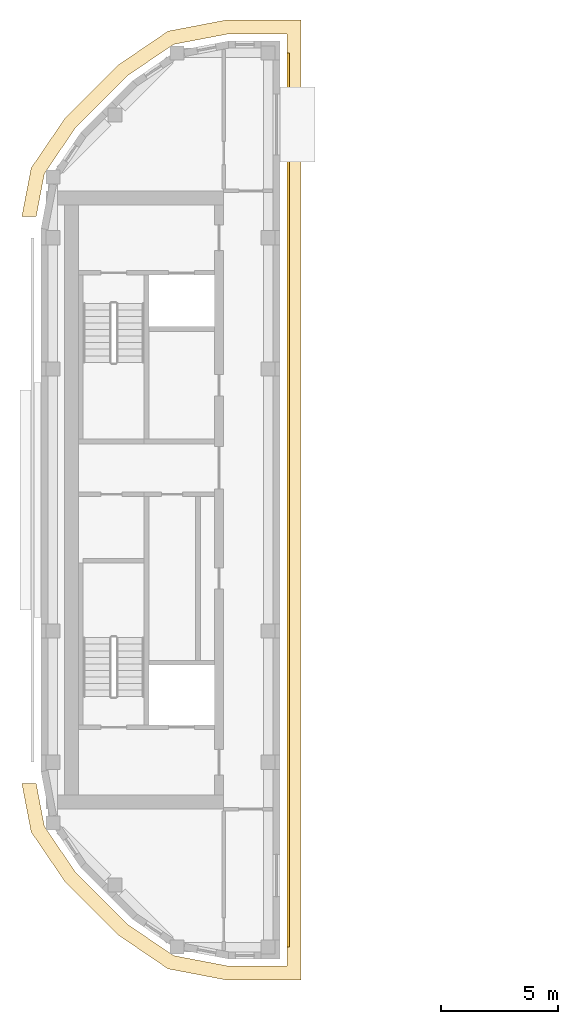
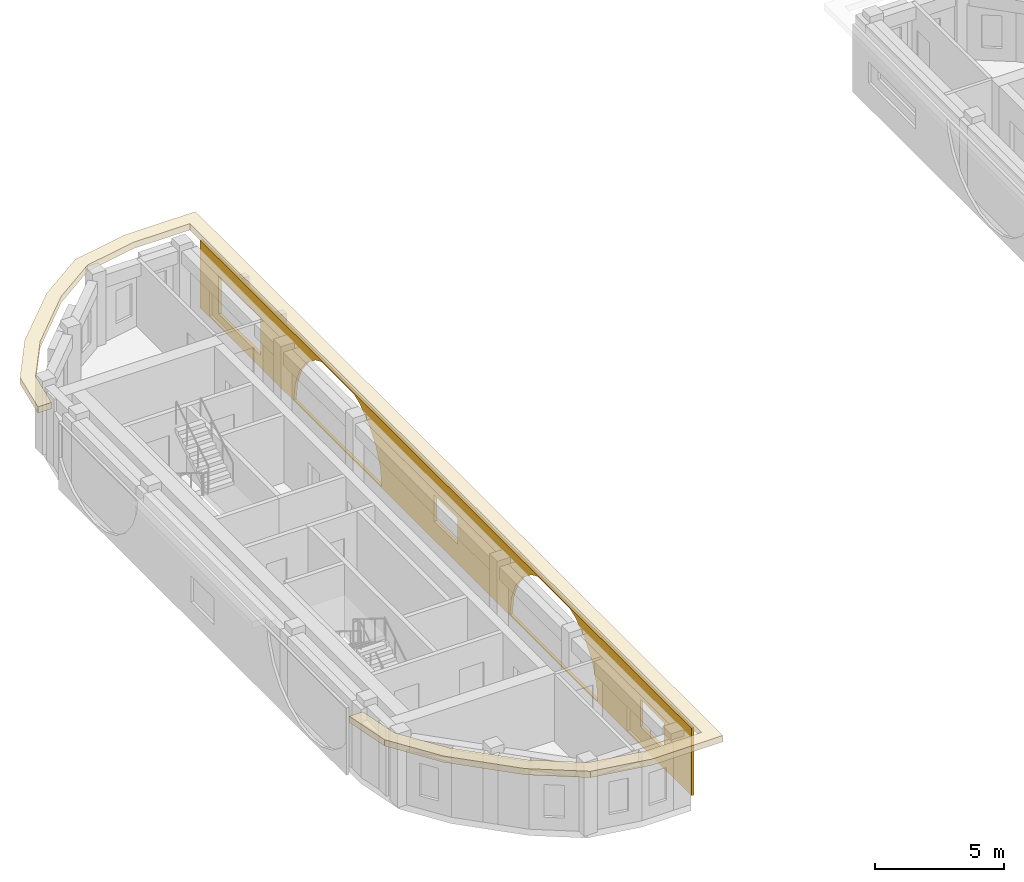
# One storey, part 7 of 12: 2 coverings.
"""IFC4 building model written with IfcOpenShell, lengths in metres."""

from ifc_helpers import new_model, si_unit, direction, frame, origin, place, context, subcontext, project, spatial, polyline, outline, extrude, material, layer, layer_set, type_object, element, save


model = new_model("IFC4")

# Units and contexts
model_context = context("Model", 3, precision=1e-05, world=origin(), true_north=direction((0.0, 1.0)))
body_context = subcontext(model_context, "Body", "Model", "MODEL_VIEW")
ifc_project = project(units=[si_unit("LENGTHUNIT", "METRE"), si_unit("AREAUNIT", "SQUARE_METRE"), si_unit("VOLUMEUNIT", "CUBIC_METRE"), si_unit("PLANEANGLEUNIT", "RADIAN"), si_unit("MASSUNIT", "GRAM", prefix="KILO")], contexts=[model_context])

# Site, building, storey
site_placement = place(None, origin())
site = spatial("IfcSite", under=ifc_project, at=site_placement, CompositionType="ELEMENT")
building_placement = place(site_placement, origin())
building = spatial("IfcBuilding", under=site, at=building_placement, Name="Kiln Ring Residences", CompositionType="ELEMENT")
storey_placement = place(building_placement, frame((0.0, 0.0, 306.89990234375)))
storey = spatial("IfcBuildingStorey", under=building, at=storey_placement, Name="L79 Crown", CompositionType="ELEMENT", Elevation=306.89990234375)

# Coverings
ifc_material_1 = material(Name="Brick masonry, dark clay brick", Category="masonry")
ifc_layer_1 = layer(ifc_material_1, 0.1201171875)
ifc_layer_set_1 = layer_set([ifc_layer_1], Name="RAINSCREEN PANEL 120")
covering_type_1 = type_object("IfcCoveringType", Name="RAINSCREEN PANEL 120", PredefinedType="CLADDING", material=ifc_layer_set_1)
covering_1_placement = place(storey_placement, frame((-14.639892578125, -19.10009765625, 0.0), z_axis=(0.0, 0.0, 1.0), x_axis=(0.0, 1.0, 0.0)))
element("IfcCovering", 1, at=covering_1_placement, inside=storey, type_object=covering_type_1, Name="RAINSCREEN L79 Crown", PredefinedType="CLADDING", context=body_context, shape_type="SweptSolid", body=[
    extrude(outline(polyline([(0.0, 0.0), (38.199951171875, 0.0), (38.199951171875, 3.2001953125), (0.0, 3.2001953125), (0.0, 0.0)]), holes=[polyline([(7.396484375, 0.88525390625), (7.28662109375, 0.050048828125), (14.11328125, 0.050048828125), (14.00341796875, 0.88525390625), (13.661865234375, 1.710205078125), (13.118408203125, 2.41845703125), (12.409912109375, 2.9619140625), (11.955810546875, 3.150146484375), (9.4443359375, 3.150146484375), (8.989990234375, 2.9619140625), (8.28173828125, 2.41845703125), (7.73828125, 1.710205078125), (7.396484375, 0.88525390625)]), polyline([(24.196533203125, 0.88525390625), (24.086669921875, 0.050048828125), (30.913330078125, 0.050048828125), (30.803466796875, 0.88525390625), (30.4619140625, 1.710205078125), (29.918212890625, 2.41845703125), (29.2099609375, 2.9619140625), (28.755615234375, 3.150146484375), (26.244384765625, 3.150146484375), (25.7900390625, 2.9619140625), (25.081787109375, 2.41845703125), (24.5380859375, 1.710205078125), (24.196533203125, 0.88525390625)]), polyline([(33.517578125, 0.580078125), (36.757568359375, 0.580078125), (36.757568359375, 2.3701171875), (33.517578125, 2.3701171875), (33.517578125, 0.580078125)]), polyline([(3.982421875, 0.880126953125), (3.982421875, 2.170166015625), (2.142578125, 2.170166015625), (2.142578125, 0.880126953125), (3.982421875, 0.880126953125)]), polyline([(18.199951171875, 0.900146484375), (20.0, 0.900146484375), (20.0, 2.150146484375), (18.199951171875, 2.150146484375), (18.199951171875, 0.900146484375)])]), frame((0.0, 0.06005859375, 0.0), z_axis=(0.0, -1.0, 0.0), x_axis=(1.0, 0.0, 0.0)), (0.0, 0.0, 1.0), 0.1201171875),
])
ifc_material_2 = material(Name="Black powder-coated steel", Category="steel")
ifc_layer_2 = layer(ifc_material_2, 0.300048828125)
ifc_layer_set_2 = layer_set([ifc_layer_2], Name="SUNSHADE FIN 600")
covering_type_2 = type_object("IfcCoveringType", Name="SUNSHADE FIN 600", PredefinedType="CLADDING", material=ifc_layer_set_2)
covering_2_placement = place(storey_placement, frame((0.0, 0.0, 3.2001953125)))
element("IfcCovering", 2, at=covering_2_placement, inside=storey, type_object=covering_type_2, Name="SUNSHADE FIN L79 Crown", PredefinedType="CLADDING", context=body_context, shape_type="SweptSolid", body=[
    extrude(outline(polyline([(-25.625, -14.176025390625), (-24.199462890625, -16.273193359375), (-21.873291015625, -18.599609375), (-19.77587890625, -20.02490234375), (-17.28515625, -20.5), (-14.10009765625, -20.5), (-14.10009765625, 20.5), (-17.28515625, 20.5), (-19.77587890625, 20.02490234375), (-21.873291015625, 18.599609375), (-24.199462890625, 16.273193359375), (-25.625, 14.176025390625), (-26.02099609375, 12.10009765625), (-25.409912109375, 12.10009765625), (-25.058837890625, 13.94140625), (-23.735107421875, 15.88916015625), (-21.489013671875, 18.135009765625), (-19.54150390625, 19.458740234375), (-17.228515625, 19.89990234375), (-14.699951171875, 19.89990234375), (-14.699951171875, -19.89990234375), (-17.228515625, -19.89990234375), (-19.54150390625, -19.458740234375), (-21.489013671875, -18.135009765625), (-23.735107421875, -15.88916015625), (-25.058837890625, -13.94140625), (-25.409912109375, -12.10009765625), (-26.02099609375, -12.10009765625), (-25.625, -14.176025390625)])), origin(), (0.0, 0.0, 1.0), 0.2998046875),
])

save(model, "model.ifc")
